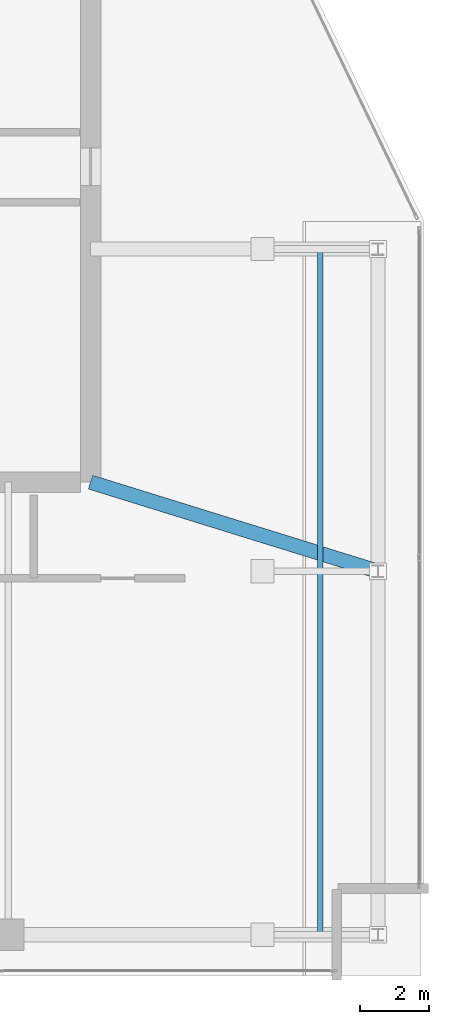
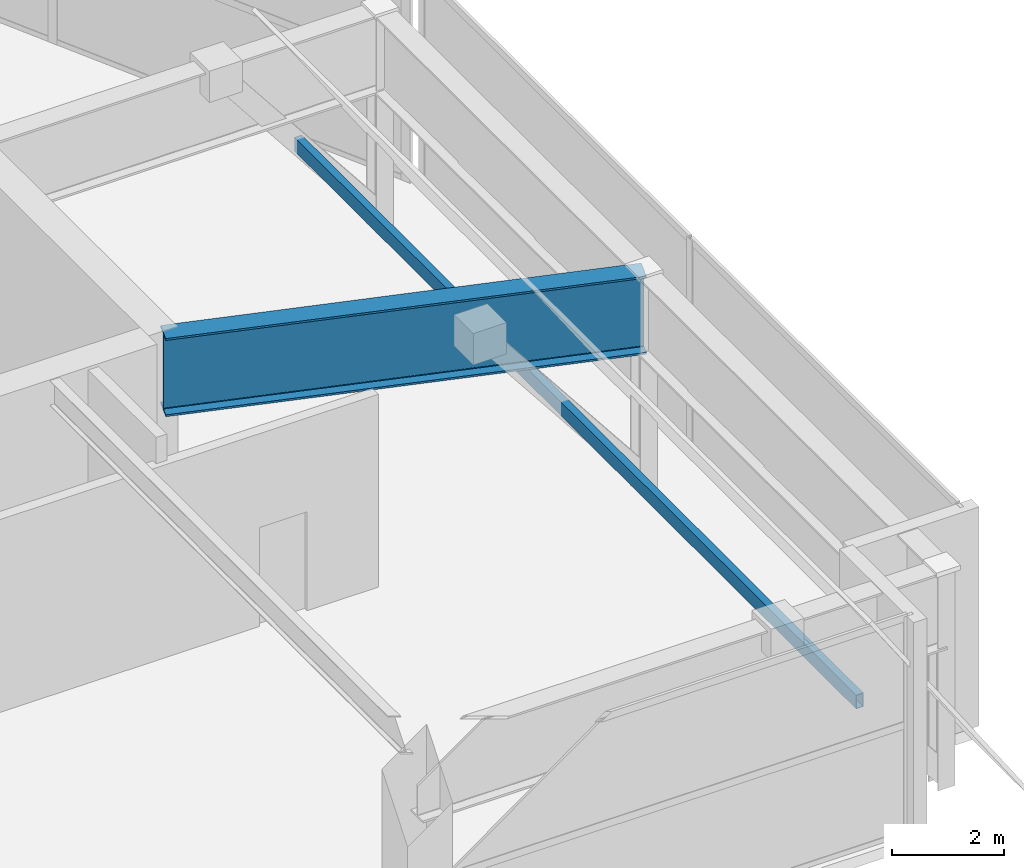
# One storey, part 7 of 20: 1 beam, 1 member.
"""IFC4 building model written with IfcOpenShell, lengths in metres."""

from ifc_helpers import new_model, si_unit, direction, frame, origin, origin_2d, place, context, subcontext, project, spatial, hollow_rectangle, i_section, extrude, material, material_profile, profile_set, type_object, element, save


model = new_model("IFC4")

# Units and contexts
model_context = context("Model", 3, precision=1e-05, world=origin(), true_north=direction((0.0, 1.0)))
body_context = subcontext(model_context, "Body", "Model", "MODEL_VIEW")
ifc_project = project(units=[si_unit("LENGTHUNIT", "METRE"), si_unit("AREAUNIT", "SQUARE_METRE"), si_unit("VOLUMEUNIT", "CUBIC_METRE"), si_unit("PLANEANGLEUNIT", "RADIAN"), si_unit("MASSUNIT", "GRAM", prefix="KILO")], contexts=[model_context])

# Site, building, storey
site_placement = place(None, origin())
site = spatial("IfcSite", under=ifc_project, at=site_placement, CompositionType="ELEMENT")
building_placement = place(site_placement, origin())
building = spatial("IfcBuilding", under=site, at=building_placement, Name="Calvorn Quay Hotel", CompositionType="ELEMENT")
storey_placement = place(building_placement, frame((0.0, 0.0, 335.5)))
storey = spatial("IfcBuildingStorey", under=building, at=storey_placement, Name="L82", CompositionType="ELEMENT", Elevation=335.5)

# Beam
ifc_material_1 = material(Name="Steel Q420GJC", Category="steel")
ifc_material_profile_1 = material_profile(ifc_material_1, i_section(OverallWidth=0.419921875, OverallDepth=1.699951171875, WebThickness=0.02392578125, FlangeThickness=0.0419921875, FilletRadius=0.02392578125, at=origin_2d()), Name="HN1700x420x24x42")
ifc_profile_set_1 = profile_set([ifc_material_profile_1], Name="Steel Q420GJC")
beam_type = type_object("IfcBeamType", Name="BM-XFER-SAWTOOTH", PredefinedType="BEAM", material=ifc_profile_set_1)
beam_placement = place(storey_placement, frame((15.0, 16.800048828125, 3.889892578125), z_axis=(0.955113811842, -0.296239103478, 0.0), x_axis=(0.296239103478, 0.955113811842, 0.0)))
element("IfcBeam", 1, at=beam_placement, inside=storey, type_object=beam_type, Name="Beam BTG-L82-C-CR2", PredefinedType="BEAM", context=body_context, shape_type="SweptSolid", body=[
    extrude(i_section(OverallWidth=0.419921875, OverallDepth=1.699951171875, WebThickness=0.02392578125, FlangeThickness=0.0419921875, FilletRadius=0.02392578125, at=origin_2d()), origin(), (0.0, 0.0, 1.0), 8.777099609375),
])

# Member
ifc_material_2 = material(Name="Steel Q355B", Category="steel")
ifc_material_profile_2 = material_profile(ifc_material_2, hollow_rectangle(XDim=0.14990234375, YDim=0.300048828125, WallThickness=0.010009765625, at=origin_2d()), Name="RHS300x150x10")
ifc_profile_set_2 = profile_set([ifc_material_profile_2], Name="Steel Q355B")
member_type = type_object("IfcMemberType", Name="MEM-CRN-PURLIN1", PredefinedType="PURLIN", material=ifc_profile_set_2)
member_placement = place(storey_placement, frame((21.699951171875, 3.60009765625, 2.3798828125), z_axis=(0.0, 1.0, 0.0), x_axis=(-1.0, 0.0, 0.0)))
element("IfcMember", 2, at=member_placement, inside=storey, type_object=member_type, Name="Crown Slanted Purlin L82-1", PredefinedType="PURLIN", context=body_context, shape_type="SweptSolid", body=[
    extrude(hollow_rectangle(XDim=0.14990234375, YDim=0.300048828125, WallThickness=0.010009765625, at=origin_2d()), origin(), (0.0, 0.0, 1.0), 20.0),
])

save(model, "model.ifc")
